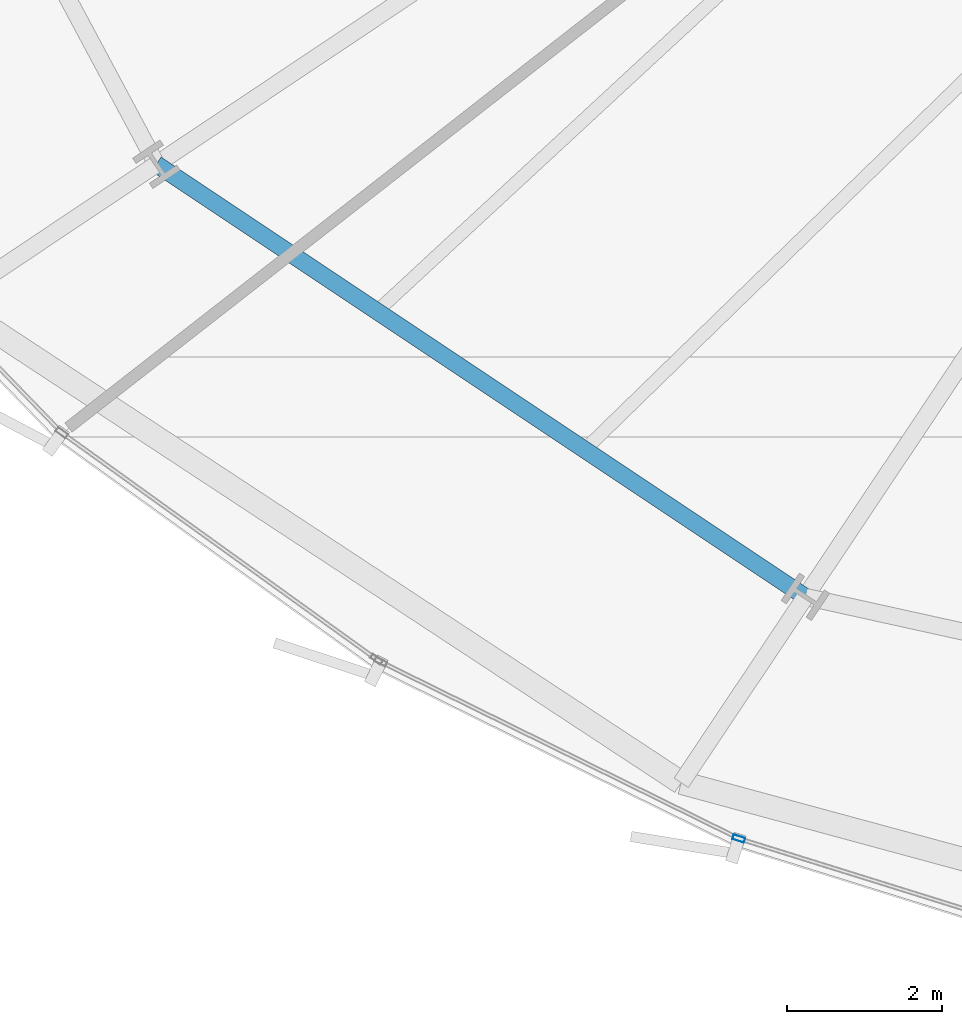
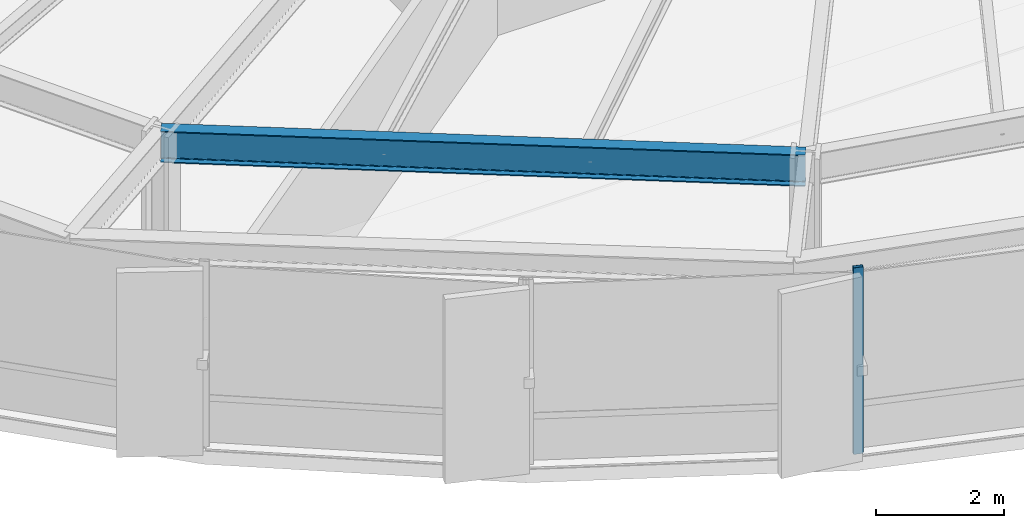
# One storey, part 4 of 39: 1 beam, 1 member, 1 element without a shape of its own.
"""IFC4 building model written with IfcOpenShell, lengths in metres."""

from ifc_helpers import new_model, si_unit, direction, frame, origin, origin_2d, place, context, subcontext, project, spatial, hollow_rectangle, i_section, extrude, source, transform, mapped, material, layer, layer_set, material_profile, profile_set, type_object, element, aggregate, save


model = new_model("IFC4")

# Units and contexts
model_context = context("Model", 3, precision=1e-05, world=origin(), true_north=direction((0.0, 1.0)))
body_context = subcontext(model_context, "Body", "Model", "MODEL_VIEW")
ifc_project = project(units=[si_unit("LENGTHUNIT", "METRE"), si_unit("AREAUNIT", "SQUARE_METRE"), si_unit("VOLUMEUNIT", "CUBIC_METRE"), si_unit("PLANEANGLEUNIT", "RADIAN"), si_unit("MASSUNIT", "GRAM", prefix="KILO"), si_unit("THERMODYNAMICTEMPERATUREUNIT", "KELVIN")], contexts=[model_context])

# Site, building, storey
site_placement = place(None, origin())
site = spatial("IfcSite", under=ifc_project, at=site_placement, CompositionType="ELEMENT")
building_placement = place(site_placement, origin())
building = spatial("IfcBuilding", under=site, at=building_placement, Name="Kethvar Cultural Tower", CompositionType="ELEMENT")
storey_placement = place(building_placement, frame((0.0, 0.0, 44.800048828125)))
storey = spatial("IfcBuildingStorey", under=building, at=storey_placement, Name="L10", CompositionType="ELEMENT", Elevation=44.800048828125)

# Beam
ifc_material_1 = material(Name="Steel S355J2", Category="steel")
ifc_material_profile_1 = material_profile(ifc_material_1, i_section(OverallWidth=0.219970703125, OverallDepth=0.60009765625, WebThickness=0.011962890625, FlangeThickness=0.01904296875, FilletRadius=0.02392578125, at=origin_2d()), Name="Steel S355J2 — IPE600")
ifc_profile_set_1 = profile_set([ifc_material_profile_1], Name="Steel S355J2 — IPE600")
beam_type = type_object("IfcBeamType", Name="BM-IPE600", PredefinedType="BEAM", material=ifc_profile_set_1)
shared_shape_1 = source(origin(), body_context, "Body", "SweptSolid", [
    extrude(i_section(OverallWidth=0.219970703125, OverallDepth=0.60009765625, WebThickness=0.011962890625, FlangeThickness=0.01904296875, FilletRadius=0.02392578125, at=origin_2d()), origin(), (0.0, 0.0, 1.0), 10.06787109375),
])
beam_placement = place(storey_placement, frame((24.9248046875, 13.183349609375, 3.248046875), z_axis=(0.832065216665, -0.554677812083, 0.0), x_axis=(0.554677812083, 0.832065216665, 0.0)))
element("IfcBeam", 1, at=beam_placement, inside=storey, type_object=beam_type, Name="L10 Column Ring Tie Beam CR-10", PredefinedType="BEAM", context=body_context, shape_type="MappedRepresentation", body=[
    mapped(shared_shape_1, transform((0.0, 0.0, 0.0), scale=1.0)),
])

# Curtain wall, member
ifc_material_2 = material(Name="Aluminium 6063-T6", Category="aluminium")
ifc_layer = layer(ifc_material_2, 0.179931640625, Name="Aluminium 6063-T6", Category="aluminium")
ifc_layer_set = layer_set([ifc_layer], Name="Aluminium 6063-T6 (180 mm)")
curtain_wall_type = type_object("IfcCurtainWallType", Name="CW-SYS-02-Z1", PredefinedType="NOTDEFINED", material=ifc_layer_set)
curtain_wall_placement = place(storey_placement, origin())
curtain_wall = element("IfcCurtainWall", 2, at=curtain_wall_placement, inside=storey, type_object=curtain_wall_type, Name="L10 Curtain Wall Run 05", PredefinedType="NOTDEFINED")
ifc_material_profile_2 = material_profile(ifc_material_2, hollow_rectangle(XDim=0.06494140625, YDim=0.159912109375, WallThickness=0.0048828125, at=origin_2d()), Name="Aluminium 6063-T6 — RHS160x65x5")
ifc_profile_set_2 = profile_set([ifc_material_profile_2], Name="Aluminium 6063-T6 — RHS160x65x5")
member_type = type_object("IfcMemberType", Name="CW-SYS-02-Z1-MUL", PredefinedType="MULLION", material=ifc_profile_set_2)
shared_shape_2 = source(origin(), body_context, "Body", "SweptSolid", [
    extrude(hollow_rectangle(XDim=0.06494140625, YDim=0.159912109375, WallThickness=0.0048828125, at=origin_2d()), origin(), (0.0, 0.0, 1.0), 3.550048828125),
])
member_placement = place(storey_placement, frame((32.4423828125, 4.478271484375, 0.0), z_axis=(0.0, 0.0, 1.0), x_axis=(0.297708130344, 0.954656937924, 0.0)))
member = element("IfcMember", 3, at=member_placement, type_object=member_type, Name="CW-L10-R05 Mullion 2", PredefinedType="MULLION", context=body_context, shape_type="MappedRepresentation", body=[
    mapped(shared_shape_2, transform((0.0, 0.0, 0.0), scale=1.0)),
])
aggregate(curtain_wall, [member])

save(model, "model.ifc")
